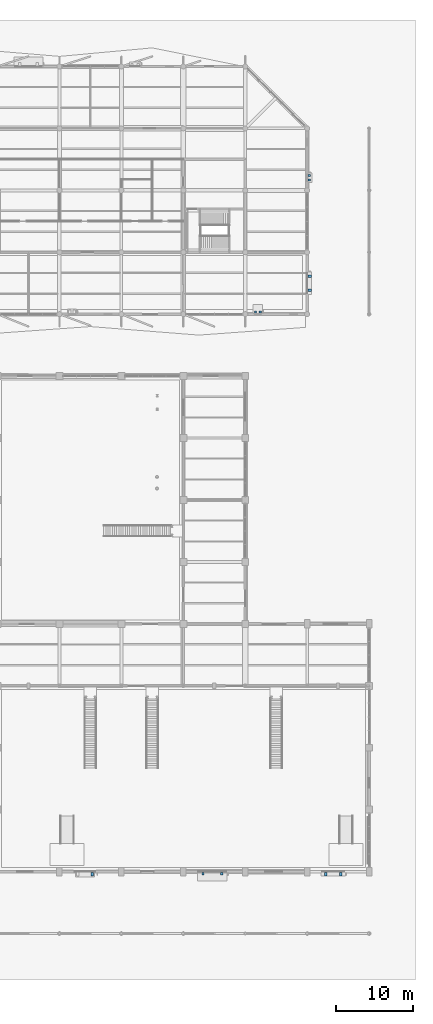
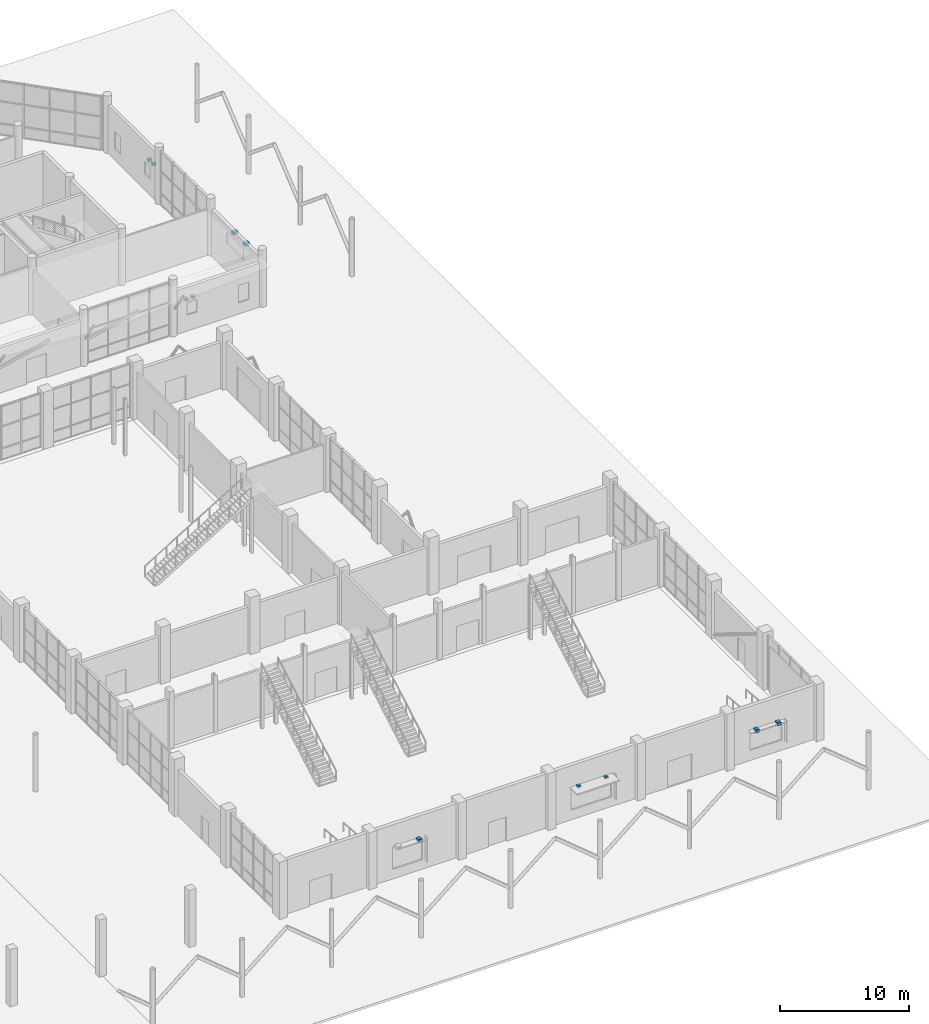
# One storey, part 112 of 123: 11 discrete accessories.
"""IFC4 building model written with IfcOpenShell, lengths in metres."""

from ifc_helpers import new_model, si_unit, direction, frame, origin, origin_2d, place, context, subcontext, project, spatial, rectangle, extrude, material, type_object, element, save


model = new_model("IFC4")

# Units and contexts
model_context = context("Model", 3, precision=1e-05, world=origin(), true_north=direction((0.0, 1.0)))
body_context = subcontext(model_context, "Body", "Model", "MODEL_VIEW")
ifc_project = project(units=[si_unit("LENGTHUNIT", "METRE"), si_unit("AREAUNIT", "SQUARE_METRE"), si_unit("VOLUMEUNIT", "CUBIC_METRE"), si_unit("PLANEANGLEUNIT", "RADIAN"), si_unit("MASSUNIT", "GRAM", prefix="KILO")], contexts=[model_context])

# Site, building, storey
site_placement = place(None, origin())
site = spatial("IfcSite", under=ifc_project, at=site_placement, CompositionType="ELEMENT")
building_placement = place(site_placement, origin())
building = spatial("IfcBuilding", under=site, at=building_placement, Name="Tenunan Teduh Sports Hall", CompositionType="ELEMENT")
storey_placement = place(building_placement, origin())
storey = spatial("IfcBuildingStorey", under=building, at=storey_placement, Name="L00", CompositionType="ELEMENT", Elevation=0.0)

# Discrete accessories
ifc_material_1 = material(Name="Steel S355", Category="steel")
discrete_accessory_type_1 = type_object("IfcDiscreteAccessoryType", Name="BRK-SHD-1", PredefinedType="BRACKET", material=ifc_material_1)
for number, where, z_axis, x_axis, name in (
    (1, (148.52587890625, 13.7099609375, 2.9501953125), (0.0, 0.0, 1.0), (1.0, 0.0, 0.0), "BRK-L00-002-1"),
    (2, (150.97412109375, 13.7099609375, 2.9501953125), (0.0, 0.0, 1.0), (1.0, 0.0, 0.0), "BRK-L00-002-2"),
    (3, (155.319091796875, 86.27490234375, 2.64990234375), (0.0, 0.0, 1.0), (1.0, 0.0, 0.0), "BRK-L00-074-1"),
    (4, (155.930908203125, 86.27490234375, 2.64990234375), (0.0, 0.0, 1.0), (1.0, 0.0, 0.0), "BRK-L00-074-2"),
    (5, (162.2548828125, 103.319091796875, 2.64990234375), (0.0, 0.0, 1.0), (0.0, 1.0, 0.0), "BRK-L00-076-1"),
    (6, (162.2548828125, 103.930908203125, 2.64990234375), (0.0, 0.0, 1.0), (0.0, 1.0, 0.0), "BRK-L00-076-2"),
):
    element("IfcDiscreteAccessory", number, at=place(storey_placement, frame(where, z_axis=z_axis, x_axis=x_axis)), inside=storey, type_object=discrete_accessory_type_1, Name=name, PredefinedType="BRACKET", context=body_context, shape_type="SweptSolid", body=[
        extrude(rectangle(XDim=0.280029296875, YDim=0.300048828125, at=origin_2d()), origin(), (0.0, 0.0, 1.0), 0.219970703125),
    ])
ifc_material_2 = material(Name="Steel S355", Category="steel")
discrete_accessory_type_2 = type_object("IfcDiscreteAccessoryType", Name="BRK-SHD-2", PredefinedType="BRACKET", material=ifc_material_2)
for number, where, z_axis, x_axis, name in (
    (7, (134.218017578125, 13.64990234375, 2.93017578125), (0.0, 0.0, 1.0), (1.0, 0.0, 0.0), "BRK-L00-001-2"),
    (8, (164.406005859375, 13.64990234375, 2.72998046875), (0.0, 0.0, 1.0), (1.0, 0.0, 0.0), "BRK-L00-003-1"),
    (9, (166.343994140625, 13.64990234375, 2.72998046875), (0.0, 0.0, 1.0), (1.0, 0.0, 0.0), "BRK-L00-003-2"),
    (10, (162.330078125, 89.111083984375, 3.68017578125), (0.0, 0.0, 1.0), (0.0, 1.0, 0.0), "BRK-L00-075-1"),
    (11, (162.330078125, 90.87890625, 3.68017578125), (0.0, 0.0, 1.0), (0.0, 1.0, 0.0), "BRK-L00-075-2"),
):
    element("IfcDiscreteAccessory", number, at=place(storey_placement, frame(where, z_axis=z_axis, x_axis=x_axis)), inside=storey, type_object=discrete_accessory_type_2, Name=name, PredefinedType="BRACKET", context=body_context, shape_type="SweptSolid", body=[
        extrude(rectangle(XDim=0.320068359375, YDim=0.419921875, at=origin_2d()), origin(), (0.0, 0.0, 1.0), 0.260009765625),
    ])

save(model, "model.ifc")
